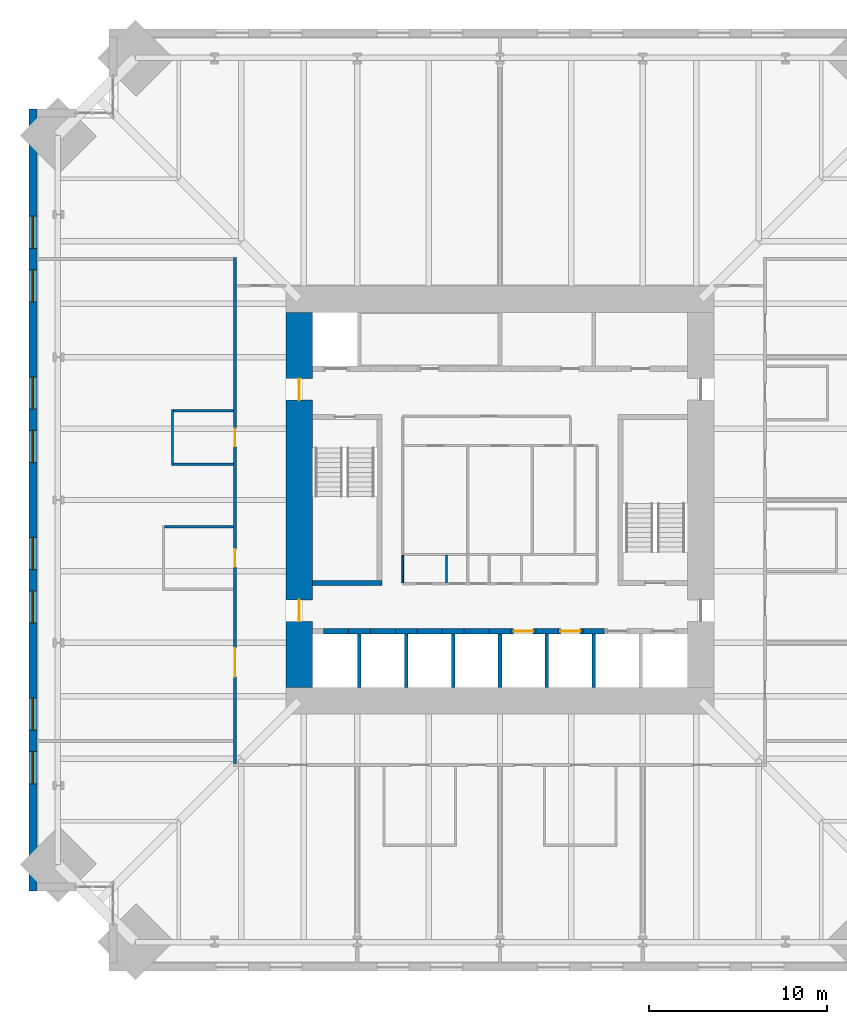
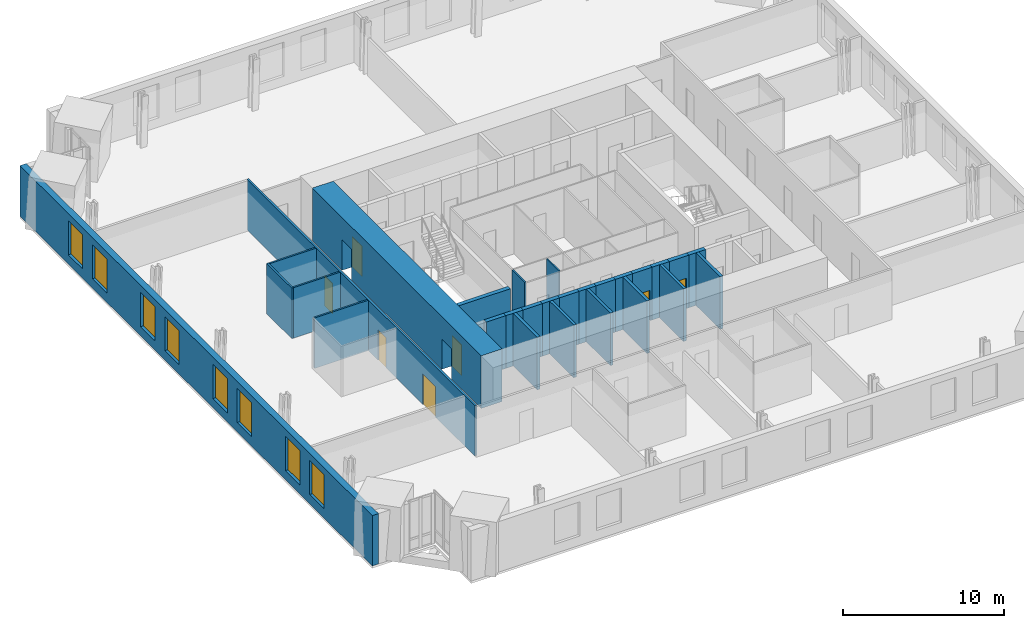
# One storey, part 14 of 18: 28 walls, 8 windows, 7 doors, 15 openings.
"""IFC4 building model written with IfcOpenShell, lengths in metres."""

from ifc_helpers import new_model, si_unit, direction, frame, frame_2d, origin, place, context, subcontext, project, spatial, rectangle, extrude, material, layer, layer_set, type_object, element, fill, save


model = new_model("IFC4")

# Units and contexts
model_context = context("Model", 3, precision=1e-05, world=origin(), true_north=direction((0.0, 1.0)))
body_context = subcontext(model_context, "Body", "Model", "MODEL_VIEW")
ifc_project = project(units=[si_unit("LENGTHUNIT", "METRE"), si_unit("AREAUNIT", "SQUARE_METRE"), si_unit("VOLUMEUNIT", "CUBIC_METRE"), si_unit("PLANEANGLEUNIT", "RADIAN"), si_unit("MASSUNIT", "GRAM", prefix="KILO")], contexts=[model_context])

# Site, building, storey
site_placement = place(None, origin())
site = spatial("IfcSite", under=ifc_project, at=site_placement, CompositionType="ELEMENT")
building_placement = place(site_placement, origin())
building = spatial("IfcBuilding", under=site, at=building_placement, Name="Peilmerk Tower", CompositionType="ELEMENT")
storey_placement = place(building_placement, frame((0.0, 0.0, 151.800048828125)))
storey = spatial("IfcBuildingStorey", under=building, at=storey_placement, Name="L31", CompositionType="ELEMENT", Elevation=151.800048828125)

# Wall, openings, windows
ifc_material_1 = material(Name="Precast concrete C45/55, board-marked finish", Category="concrete")
ifc_layer_1 = layer(ifc_material_1, 0.449951171875)
ifc_layer_set_1 = layer_set([ifc_layer_1], Name="Precast concrete C45/55, board-marked finish")
wall_type_1 = type_object("IfcWallType", Name="EW1 450 precast concrete facade wall, board-marked", PredefinedType="SOLIDWALL", material=ifc_layer_set_1)
wall_1_placement = place(storey_placement, frame((-26.175048828125, 21.89990234375, 0.0), z_axis=(0.0, 0.0, 1.0), x_axis=(0.0, -1.0, 0.0)))
wall_1 = element("IfcWall", 1, at=wall_1_placement, inside=storey, type_object=wall_type_1, Name="Facade wall W L31", PredefinedType="SOLIDWALL", context=body_context, shape_type="SweptSolid", body=[
    extrude(rectangle(XDim=43.7998046875, YDim=0.449951171875, at=frame_2d((21.89990234375, 0.0))), origin(), (0.0, 0.0, 1.0), 3.829833984375),
])
opening_1_placement = place(wall_1_placement, frame((6.0, 0.0, 0.699951171875)))
opening_1 = element("IfcOpeningElement", 2, at=opening_1_placement, cuts=wall_1, Name="Opening W1", PredefinedType="OPENING", context=body_context, shape_type="SweptSolid", body=[
    extrude(rectangle(XDim=1.800048828125, YDim=2.60009765625, at=frame_2d((0.89990234375, 1.300048828125))), frame((0.0, 0.23486328125, 0.0), z_axis=(0.0, -1.0, 0.0), x_axis=(1.0, 0.0, 0.0)), (0.0, 0.0, 1.0), 0.469970703125),
])
opening_2_placement = place(wall_1_placement, frame((9.0, 0.0, 0.699951171875)))
opening_2 = element("IfcOpeningElement", 3, at=opening_2_placement, cuts=wall_1, Name="Opening W1", PredefinedType="OPENING", context=body_context, shape_type="SweptSolid", body=[
    extrude(rectangle(XDim=1.800048828125, YDim=2.60009765625, at=frame_2d((0.89990234375, 1.300048828125))), frame((0.0, 0.23486328125, 0.0), z_axis=(0.0, -1.0, 0.0), x_axis=(1.0, 0.0, 0.0)), (0.0, 0.0, 1.0), 0.469970703125),
])
opening_3_placement = place(wall_1_placement, frame((15.0, 0.0, 0.699951171875)))
opening_3 = element("IfcOpeningElement", 4, at=opening_3_placement, cuts=wall_1, Name="Opening W1", PredefinedType="OPENING", context=body_context, shape_type="SweptSolid", body=[
    extrude(rectangle(XDim=1.800048828125, YDim=2.60009765625, at=frame_2d((0.89990234375, 1.300048828125))), frame((0.0, 0.23486328125, 0.0), z_axis=(0.0, -1.0, 0.0), x_axis=(1.0, 0.0, 0.0)), (0.0, 0.0, 1.0), 0.469970703125),
])
opening_4_placement = place(wall_1_placement, frame((18.0, 0.0, 0.699951171875)))
opening_4 = element("IfcOpeningElement", 5, at=opening_4_placement, cuts=wall_1, Name="Opening W1", PredefinedType="OPENING", context=body_context, shape_type="SweptSolid", body=[
    extrude(rectangle(XDim=1.800048828125, YDim=2.60009765625, at=frame_2d((0.89990234375, 1.300048828125))), frame((0.0, 0.23486328125, 0.0), z_axis=(0.0, -1.0, 0.0), x_axis=(1.0, 0.0, 0.0)), (0.0, 0.0, 1.0), 0.469970703125),
])
opening_5_placement = place(wall_1_placement, frame((24.0, 0.0, 0.699951171875)))
opening_5 = element("IfcOpeningElement", 6, at=opening_5_placement, cuts=wall_1, Name="Opening W1", PredefinedType="OPENING", context=body_context, shape_type="SweptSolid", body=[
    extrude(rectangle(XDim=1.800048828125, YDim=2.60009765625, at=frame_2d((0.89990234375, 1.300048828125))), frame((0.0, 0.23486328125, 0.0), z_axis=(0.0, -1.0, 0.0), x_axis=(1.0, 0.0, 0.0)), (0.0, 0.0, 1.0), 0.469970703125),
])
opening_6_placement = place(wall_1_placement, frame((27.0, 0.0, 0.699951171875)))
opening_6 = element("IfcOpeningElement", 7, at=opening_6_placement, cuts=wall_1, Name="Opening W1", PredefinedType="OPENING", context=body_context, shape_type="SweptSolid", body=[
    extrude(rectangle(XDim=1.800048828125, YDim=2.60009765625, at=frame_2d((0.89990234375, 1.300048828125))), frame((0.0, 0.23486328125, 0.0), z_axis=(0.0, -1.0, 0.0), x_axis=(1.0, 0.0, 0.0)), (0.0, 0.0, 1.0), 0.469970703125),
])
opening_7_placement = place(wall_1_placement, frame((33.0, 0.0, 0.699951171875)))
opening_7 = element("IfcOpeningElement", 8, at=opening_7_placement, cuts=wall_1, Name="Opening W1", PredefinedType="OPENING", context=body_context, shape_type="SweptSolid", body=[
    extrude(rectangle(XDim=1.800048828125, YDim=2.60009765625, at=frame_2d((0.89990234375, 1.300048828125))), frame((0.0, 0.23486328125, 0.0), z_axis=(0.0, -1.0, 0.0), x_axis=(1.0, 0.0, 0.0)), (0.0, 0.0, 1.0), 0.469970703125),
])
opening_8_placement = place(wall_1_placement, frame((36.0, 0.0, 0.699951171875)))
opening_8 = element("IfcOpeningElement", 9, at=opening_8_placement, cuts=wall_1, Name="Opening W1", PredefinedType="OPENING", context=body_context, shape_type="SweptSolid", body=[
    extrude(rectangle(XDim=1.800048828125, YDim=2.60009765625, at=frame_2d((0.89990234375, 1.300048828125))), frame((0.0, 0.23486328125, 0.0), z_axis=(0.0, -1.0, 0.0), x_axis=(1.0, 0.0, 0.0)), (0.0, 0.0, 1.0), 0.469970703125),
])
ifc_material_2 = material(Name="Aluminium frame, clear double glazing", Category="aluminium")
window_type = type_object("IfcWindowType", Name="W1 1800x2600 office window", PartitioningType="SINGLE_PANEL", PredefinedType="WINDOW", material=ifc_material_2)
window_1_placement = place(opening_1_placement, origin())
window_1 = element("IfcWindow", 10, at=window_1_placement, inside=storey, type_object=window_type, Name="Window W1 L31", OverallHeight=2.60009765625, OverallWidth=1.800048828125, PartitioningType="SINGLE_PANEL", PredefinedType="WINDOW", context=body_context, shape_type="SweptSolid", body=[
    extrude(rectangle(XDim=1.800048828125, YDim=2.60009765625, at=frame_2d((0.89990234375, 1.300048828125))), frame((0.0, 0.030029296875, 0.0), z_axis=(0.0, -1.0, 0.0), x_axis=(1.0, 0.0, 0.0)), (0.0, 0.0, 1.0), 0.06005859375),
])
fill(opening_1, window_1)
window_2_placement = place(opening_2_placement, origin())
window_2 = element("IfcWindow", 11, at=window_2_placement, inside=storey, type_object=window_type, Name="Window W1 L31", OverallHeight=2.60009765625, OverallWidth=1.800048828125, PartitioningType="SINGLE_PANEL", PredefinedType="WINDOW", context=body_context, shape_type="SweptSolid", body=[
    extrude(rectangle(XDim=1.800048828125, YDim=2.60009765625, at=frame_2d((0.89990234375, 1.300048828125))), frame((0.0, 0.030029296875, 0.0), z_axis=(0.0, -1.0, 0.0), x_axis=(1.0, 0.0, 0.0)), (0.0, 0.0, 1.0), 0.06005859375),
])
fill(opening_2, window_2)
window_3_placement = place(opening_3_placement, origin())
window_3 = element("IfcWindow", 12, at=window_3_placement, inside=storey, type_object=window_type, Name="Window W1 L31", OverallHeight=2.60009765625, OverallWidth=1.800048828125, PartitioningType="SINGLE_PANEL", PredefinedType="WINDOW", context=body_context, shape_type="SweptSolid", body=[
    extrude(rectangle(XDim=1.800048828125, YDim=2.60009765625, at=frame_2d((0.89990234375, 1.300048828125))), frame((0.0, 0.030029296875, 0.0), z_axis=(0.0, -1.0, 0.0), x_axis=(1.0, 0.0, 0.0)), (0.0, 0.0, 1.0), 0.06005859375),
])
fill(opening_3, window_3)
window_4_placement = place(opening_4_placement, origin())
window_4 = element("IfcWindow", 13, at=window_4_placement, inside=storey, type_object=window_type, Name="Window W1 L31", OverallHeight=2.60009765625, OverallWidth=1.800048828125, PartitioningType="SINGLE_PANEL", PredefinedType="WINDOW", context=body_context, shape_type="SweptSolid", body=[
    extrude(rectangle(XDim=1.800048828125, YDim=2.60009765625, at=frame_2d((0.89990234375, 1.300048828125))), frame((0.0, 0.030029296875, 0.0), z_axis=(0.0, -1.0, 0.0), x_axis=(1.0, 0.0, 0.0)), (0.0, 0.0, 1.0), 0.06005859375),
])
fill(opening_4, window_4)
window_5_placement = place(opening_5_placement, origin())
window_5 = element("IfcWindow", 14, at=window_5_placement, inside=storey, type_object=window_type, Name="Window W1 L31", OverallHeight=2.60009765625, OverallWidth=1.800048828125, PartitioningType="SINGLE_PANEL", PredefinedType="WINDOW", context=body_context, shape_type="SweptSolid", body=[
    extrude(rectangle(XDim=1.800048828125, YDim=2.60009765625, at=frame_2d((0.89990234375, 1.300048828125))), frame((0.0, 0.030029296875, 0.0), z_axis=(0.0, -1.0, 0.0), x_axis=(1.0, 0.0, 0.0)), (0.0, 0.0, 1.0), 0.06005859375),
])
fill(opening_5, window_5)
window_6_placement = place(opening_6_placement, origin())
window_6 = element("IfcWindow", 15, at=window_6_placement, inside=storey, type_object=window_type, Name="Window W1 L31", OverallHeight=2.60009765625, OverallWidth=1.800048828125, PartitioningType="SINGLE_PANEL", PredefinedType="WINDOW", context=body_context, shape_type="SweptSolid", body=[
    extrude(rectangle(XDim=1.800048828125, YDim=2.60009765625, at=frame_2d((0.89990234375, 1.300048828125))), frame((0.0, 0.030029296875, 0.0), z_axis=(0.0, -1.0, 0.0), x_axis=(1.0, 0.0, 0.0)), (0.0, 0.0, 1.0), 0.06005859375),
])
fill(opening_6, window_6)
window_7_placement = place(opening_7_placement, origin())
window_7 = element("IfcWindow", 16, at=window_7_placement, inside=storey, type_object=window_type, Name="Window W1 L31", OverallHeight=2.60009765625, OverallWidth=1.800048828125, PartitioningType="SINGLE_PANEL", PredefinedType="WINDOW", context=body_context, shape_type="SweptSolid", body=[
    extrude(rectangle(XDim=1.800048828125, YDim=2.60009765625, at=frame_2d((0.89990234375, 1.300048828125))), frame((0.0, 0.030029296875, 0.0), z_axis=(0.0, -1.0, 0.0), x_axis=(1.0, 0.0, 0.0)), (0.0, 0.0, 1.0), 0.06005859375),
])
fill(opening_7, window_7)
window_8_placement = place(opening_8_placement, origin())
window_8 = element("IfcWindow", 17, at=window_8_placement, inside=storey, type_object=window_type, Name="Window W1 L31", OverallHeight=2.60009765625, OverallWidth=1.800048828125, PartitioningType="SINGLE_PANEL", PredefinedType="WINDOW", context=body_context, shape_type="SweptSolid", body=[
    extrude(rectangle(XDim=1.800048828125, YDim=2.60009765625, at=frame_2d((0.89990234375, 1.300048828125))), frame((0.0, 0.030029296875, 0.0), z_axis=(0.0, -1.0, 0.0), x_axis=(1.0, 0.0, 0.0)), (0.0, 0.0, 1.0), 0.06005859375),
])
fill(opening_8, window_8)

# Wall, openings, doors
ifc_material_3 = material(Name="Calcium silicate block", Category="masonry")
ifc_layer_2 = layer(ifc_material_3, 0.14990234375)
ifc_layer_set_2 = layer_set([ifc_layer_2], Name="Calcium silicate block")
wall_type_2 = type_object("IfcWallType", Name="IW1 150 corridor partition, EI 60", PredefinedType="PARTITIONING", material=ifc_layer_set_2)
wall_2_placement = place(storey_placement, frame((-14.85009765625, 13.574951171875, 0.0), z_axis=(0.0, 0.0, 1.0), x_axis=(0.0, -1.0, 0.0)))
wall_2 = element("IfcWall", 18, at=wall_2_placement, inside=storey, type_object=wall_type_2, Name="Corridor wall W L31", PredefinedType="PARTITIONING", context=body_context, shape_type="SweptSolid", body=[
    extrude(rectangle(XDim=28.349853515625, YDim=0.14990234375, at=frame_2d((14.1748046875, 0.0))), origin(), (0.0, 0.0, 1.0), 3.829833984375),
])
opening_9_placement = place(wall_2_placement, frame((21.875, 0.0, 0.0)))
opening_9 = element("IfcOpeningElement", 19, at=opening_9_placement, cuts=wall_2, Name="Opening D9", PredefinedType="OPENING", context=body_context, shape_type="SweptSolid", body=[
    extrude(rectangle(XDim=1.60009765625, YDim=2.300048828125, at=frame_2d((0.800048828125, 1.14990234375))), frame((0.0, 0.0849609375, 0.0), z_axis=(0.0, -1.0, 0.0), x_axis=(1.0, 0.0, 0.0)), (0.0, 0.0, 1.0), 0.169921875),
])
opening_10_placement = place(wall_2_placement, frame((16.324951171875, 0.0, 0.0)))
opening_10 = element("IfcOpeningElement", 20, at=opening_10_placement, cuts=wall_2, Name="Opening D1", PredefinedType="OPENING", context=body_context, shape_type="SweptSolid", body=[
    extrude(rectangle(XDim=1.0, YDim=2.300048828125, at=frame_2d((0.5, 1.14990234375))), frame((0.0, 0.0849609375, 0.0), z_axis=(0.0, -1.0, 0.0), x_axis=(1.0, 0.0, 0.0)), (0.0, 0.0, 1.0), 0.169921875),
])
opening_11_placement = place(wall_2_placement, frame((9.574951171875, 0.0, 0.0)))
opening_11 = element("IfcOpeningElement", 21, at=opening_11_placement, cuts=wall_2, Name="Opening D1", PredefinedType="OPENING", context=body_context, shape_type="SweptSolid", body=[
    extrude(rectangle(XDim=1.0, YDim=2.300048828125, at=frame_2d((0.5, 1.14990234375))), frame((0.0, 0.0849609375, 0.0), z_axis=(0.0, -1.0, 0.0), x_axis=(1.0, 0.0, 0.0)), (0.0, 0.0, 1.0), 0.169921875),
])
ifc_material_4 = material(Name="Timber door in steel frame", Category="steel")
door_type_1 = type_object("IfcDoorType", Name="D1 1000x2300 room door, EI2 30", OperationType="SINGLE_SWING_LEFT", PredefinedType="DOOR", material=ifc_material_4)
door_1_placement = place(opening_10_placement, frame((1.0, 0.0, 0.0), z_axis=(0.0, 0.0, 1.0), x_axis=(-1.0, 0.0, 0.0)))
door_1 = element("IfcDoor", 22, at=door_1_placement, inside=storey, type_object=door_type_1, Name="Door Pantry L31", OperationType="SINGLE_SWING_LEFT", OverallHeight=2.300048828125, OverallWidth=1.0, PredefinedType="DOOR", context=body_context, shape_type="SweptSolid", body=[
    extrude(rectangle(XDim=1.0, YDim=2.300048828125, at=frame_2d((0.5, 1.14990234375))), frame((0.0, 0.02490234375, 0.0), z_axis=(0.0, -1.0, 0.0), x_axis=(1.0, 0.0, 0.0)), (0.0, 0.0, 1.0), 0.050048828125),
])
fill(opening_10, door_1)
door_2_placement = place(opening_11_placement, frame((1.0, 0.0, 0.0), z_axis=(0.0, 0.0, 1.0), x_axis=(-1.0, 0.0, 0.0)))
door_2 = element("IfcDoor", 23, at=door_2_placement, inside=storey, type_object=door_type_1, Name="Door Focus room L31", OperationType="SINGLE_SWING_LEFT", OverallHeight=2.300048828125, OverallWidth=1.0, PredefinedType="DOOR", context=body_context, shape_type="SweptSolid", body=[
    extrude(rectangle(XDim=1.0, YDim=2.300048828125, at=frame_2d((0.5, 1.14990234375))), frame((0.0, 0.02490234375, 0.0), z_axis=(0.0, -1.0, 0.0), x_axis=(1.0, 0.0, 0.0)), (0.0, 0.0, 1.0), 0.050048828125),
])
fill(opening_11, door_2)
ifc_material_5 = material(Name="Glazed timber door in steel frame", Category="steel")
door_type_2 = type_object("IfcDoorType", Name="D9 1600x2300 glazed double door, EI2 30", OperationType="DOUBLE_DOOR_SINGLE_SWING", PredefinedType="DOOR", material=ifc_material_5)
door_3_placement = place(opening_9_placement, frame((1.60009765625, 0.0, 0.0), z_axis=(0.0, 0.0, 1.0), x_axis=(-1.0, 0.0, 0.0)))
door_3 = element("IfcDoor", 24, at=door_3_placement, inside=storey, type_object=door_type_2, Name="Door Open workspace L31", OperationType="DOUBLE_DOOR_SINGLE_SWING", OverallHeight=2.300048828125, OverallWidth=1.60009765625, PredefinedType="DOOR", context=body_context, shape_type="SweptSolid", body=[
    extrude(rectangle(XDim=1.60009765625, YDim=2.300048828125, at=frame_2d((0.800048828125, 1.14990234375))), frame((0.0, 0.02490234375, 0.0), z_axis=(0.0, -1.0, 0.0), x_axis=(1.0, 0.0, 0.0)), (0.0, 0.0, 1.0), 0.050048828125),
])
fill(opening_9, door_3)

# Walls
ifc_material_6 = material(Name="Concrete C35/45", Category="concrete")
ifc_layer_3 = layer(ifc_material_6, 0.300048828125)
ifc_layer_set_3 = layer_set([ifc_layer_3], Name="Concrete C35/45")
wall_type_3 = type_object("IfcWallType", Name="IW3 300 concrete stair enclosure wall, EI 120", PredefinedType="SOLIDWALL", material=ifc_layer_set_3)
wall_3_placement = place(storey_placement, frame((-6.60009765625, -4.64990234375, 0.0), z_axis=(0.0, 0.0, 1.0), x_axis=(-1.0, 0.0, 0.0)))
element("IfcWall", 25, at=wall_3_placement, inside=storey, type_object=wall_type_3, Name="Stair 1 enclosure L31", PredefinedType="SOLIDWALL", context=body_context, shape_type="SweptSolid", body=[
    extrude(rectangle(XDim=3.89990234375, YDim=0.300048828125, at=frame_2d((1.949951171875, 0.0))), origin(), (0.0, 0.0, 1.0), 3.75),
])
ifc_material_7 = material(Name="Calcium silicate board on steel studs", Category="steel")
ifc_layer_4 = layer(ifc_material_7, 0.10009765625)
ifc_layer_set_4 = layer_set([ifc_layer_4], Name="Calcium silicate board on steel studs")
wall_type_4 = type_object("IfcWallType", Name="IW5 100 riser enclosure wall, EI 60", PredefinedType="PARTITIONING", material=ifc_layer_set_4)
for number, where, z_axis, x_axis, name in (
    (26, (-5.449951171875, -3.10009765625, 0.0), (0.0, 0.0, 1.0), (0.0, -1.0, 0.0), "Riser wall L31"),
    (27, (-3.0, -3.10009765625, 0.0), (0.0, 0.0, 1.0), (0.0, -1.0, 0.0), "Riser wall L31"),
):
    element("IfcWall", number, at=place(storey_placement, frame(where, z_axis=z_axis, x_axis=x_axis)), inside=storey, type_object=wall_type_4, Name=name, PredefinedType="PARTITIONING", context=body_context, shape_type="SweptSolid", body=[
        extrude(rectangle(XDim=1.5498046875, YDim=0.10009765625, at=frame_2d((0.77490234375, 0.0))), origin(), (0.0, 0.0, 1.0), 3.75),
    ])
ifc_material_8 = material(Name="Plasterboard on steel studs, double boarded with mineral wool", Category="steel")
ifc_layer_5 = layer(ifc_material_8, 0.125)
ifc_layer_set_5 = layer_set([ifc_layer_5], Name="Plasterboard on steel studs, double boarded with mineral wool")
wall_type_5 = type_object("IfcWallType", Name="IW7 125 acoustic partition, EI 30", PredefinedType="PARTITIONING", material=ifc_layer_set_5)
wall_4_placement = place(storey_placement, frame((-14.925048828125, -1.5, 0.0), z_axis=(0.0, 0.0, 1.0), x_axis=(-1.0, 0.0, 0.0)))
element("IfcWall", 28, at=wall_4_placement, inside=storey, type_object=wall_type_5, Name="Acoustic partition Pantry L31", PredefinedType="PARTITIONING", context=body_context, shape_type="SweptSolid", body=[
    extrude(rectangle(XDim=3.862548828125, YDim=0.125, at=frame_2d((1.93115234375, 0.0))), origin(), (0.0, 0.0, 1.0), 3.829833984375),
])
wall_5_placement = place(storey_placement, frame((-18.35009765625, 1.9375, 0.0), z_axis=(0.0, 0.0, 1.0), x_axis=(0.0, 1.0, 0.0)))
element("IfcWall", 29, at=wall_5_placement, inside=storey, type_object=wall_type_5, Name="Acoustic partition Focus room L31", PredefinedType="PARTITIONING", context=body_context, shape_type="SweptSolid", body=[
    extrude(rectangle(XDim=3.125, YDim=0.125, at=frame_2d((1.5625, 0.0))), origin(), (0.0, 0.0, 1.0), 3.829833984375),
])
for number, where, z_axis, x_axis, name in (
    (30, (-14.925048828125, 2.0, 0.0), (0.0, 0.0, 1.0), (-1.0, 0.0, 0.0), "Acoustic partition Focus room L31"),
    (31, (-14.925048828125, 5.0, 0.0), (0.0, 0.0, 1.0), (-1.0, 0.0, 0.0), "Acoustic partition Focus room L31"),
):
    element("IfcWall", number, at=place(storey_placement, frame(where, z_axis=z_axis, x_axis=x_axis)), inside=storey, type_object=wall_type_5, Name=name, PredefinedType="PARTITIONING", context=body_context, shape_type="SweptSolid", body=[
        extrude(rectangle(XDim=3.362548828125, YDim=0.125, at=frame_2d((1.68115234375, 0.0))), origin(), (0.0, 0.0, 1.0), 3.829833984375),
    ])
ifc_layer_6 = layer(ifc_material_3, 0.199951171875)
ifc_layer_set_6 = layer_set([ifc_layer_6], Name="Calcium silicate block")
wall_type_6 = type_object("IfcWallType", Name="SH1 200 shaft dividing wall, EI 120", PredefinedType="PARTITIONING", material=ifc_layer_set_6)
for number, where, z_axis, x_axis, name in (
    (32, (-7.875, -10.5, 0.0), (0.0, 0.0, 1.0), (0.0, 1.0, 0.0), "Shaft wall S C4 L31"),
    (33, (-5.25, -10.5, 0.0), (0.0, 0.0, 1.0), (0.0, 1.0, 0.0), "Shaft wall S C3 L31"),
    (34, (-2.625, -10.5, 0.0), (0.0, 0.0, 1.0), (0.0, 1.0, 0.0), "Shaft wall S C2 L31"),
    (35, (0.0, -10.5, 0.0), (0.0, 0.0, 1.0), (0.0, 1.0, 0.0), "Shaft wall S C1 L31"),
    (36, (2.625, -10.5, 0.0), (0.0, 0.0, 1.0), (0.0, 1.0, 0.0), "Shaft wall S B3 L31"),
    (37, (5.25, -10.5, 0.0), (0.0, 0.0, 1.0), (0.0, 1.0, 0.0), "Shaft wall S B2 L31"),
):
    element("IfcWall", number, at=place(storey_placement, frame(where, z_axis=z_axis, x_axis=x_axis)), inside=storey, type_object=wall_type_6, Name=name, PredefinedType="PARTITIONING", context=body_context, shape_type="SweptSolid", body=[
        extrude(rectangle(XDim=3.0, YDim=0.199951171875, at=frame_2d((1.5, 0.0))), origin(), (0.0, 0.0, 1.0), 4.0),
    ])
ifc_layer_7 = layer(ifc_material_3, 0.300048828125)
ifc_layer_set_7 = layer_set([ifc_layer_7], Name="Calcium silicate block")
wall_type_7 = type_object("IfcWallType", Name="SH2 300 lift landing door panel, EI 120", PredefinedType="PARTITIONING", material=ifc_layer_set_7)
for number, where, z_axis, x_axis, name in (
    (38, (-9.887451171875, -7.35009765625, 0.0), (0.0, 0.0, 1.0), (1.0, 0.0, 0.0), "Lift door panel S C4 L31"),
    (39, (-7.262451171875, -7.35009765625, 0.0), (0.0, 0.0, 1.0), (1.0, 0.0, 0.0), "Lift door panel S C3 L31"),
    (40, (-4.637451171875, -7.35009765625, 0.0), (0.0, 0.0, 1.0), (1.0, 0.0, 0.0), "Lift door panel S C2 L31"),
    (41, (-2.012451171875, -7.35009765625, 0.0), (0.0, 0.0, 1.0), (1.0, 0.0, 0.0), "Lift door panel S C1 L31"),
):
    element("IfcWall", number, at=place(storey_placement, frame(where, z_axis=z_axis, x_axis=x_axis)), inside=storey, type_object=wall_type_7, Name=name, PredefinedType="PARTITIONING", context=body_context, shape_type="SweptSolid", body=[
        extrude(rectangle(XDim=1.39990234375, YDim=0.300048828125, at=frame_2d((0.699951171875, 0.0))), origin(), (0.0, 0.0, 1.0), 4.0),
    ])

# Wall, opening, door
wall_6_placement = place(storey_placement, frame((0.612548828125, -7.35009765625, 0.0), z_axis=(0.0, 0.0, 1.0), x_axis=(1.0, 0.0, 0.0)))
wall_6 = element("IfcWall", 42, at=wall_6_placement, inside=storey, type_object=wall_type_7, Name="Lift door panel S B3 L31", PredefinedType="PARTITIONING", context=body_context, shape_type="SweptSolid", body=[
    extrude(rectangle(XDim=1.39990234375, YDim=0.300048828125, at=frame_2d((0.699951171875, 0.0))), origin(), (0.0, 0.0, 1.0), 4.0),
])
opening_12_placement = place(wall_6_placement, frame((0.14990234375, 0.0, 0.0)))
opening_12 = element("IfcOpeningElement", 43, at=opening_12_placement, cuts=wall_6, Name="Opening LD1", PredefinedType="OPENING", context=body_context, shape_type="SweptSolid", body=[
    extrude(rectangle(XDim=1.10009765625, YDim=2.300048828125, at=frame_2d((0.550048828125, 1.14990234375))), frame((0.0, 0.159912109375, 0.0), z_axis=(0.0, -1.0, 0.0), x_axis=(1.0, 0.0, 0.0)), (0.0, 0.0, 1.0), 0.320068359375),
])
ifc_material_9 = material(Name="Stainless steel landing door", Category="steel")
door_type_3 = type_object("IfcDoorType", Name="LD1 1100x2300 lift landing door, sliding, EI2 60", OperationType="SLIDING_TO_LEFT", PredefinedType="DOOR", material=ifc_material_9)
door_4_placement = place(opening_12_placement, origin())
door_4 = element("IfcDoor", 44, at=door_4_placement, inside=storey, type_object=door_type_3, Name="Lift landing door B3 L31", OperationType="SLIDING_TO_LEFT", OverallHeight=2.300048828125, OverallWidth=1.10009765625, PredefinedType="DOOR", context=body_context, shape_type="SweptSolid", body=[
    extrude(rectangle(XDim=1.10009765625, YDim=2.300048828125, at=frame_2d((0.550048828125, 1.14990234375))), frame((0.0, 0.02490234375, 0.0), z_axis=(0.0, -1.0, 0.0), x_axis=(1.0, 0.0, 0.0)), (0.0, 0.0, 1.0), 0.050048828125),
])
fill(opening_12, door_4)

wall_7_placement = place(storey_placement, frame((3.237548828125, -7.35009765625, 0.0), z_axis=(0.0, 0.0, 1.0), x_axis=(1.0, 0.0, 0.0)))
wall_7 = element("IfcWall", 45, at=wall_7_placement, inside=storey, type_object=wall_type_7, Name="Lift door panel S B2 L31", PredefinedType="PARTITIONING", context=body_context, shape_type="SweptSolid", body=[
    extrude(rectangle(XDim=1.39990234375, YDim=0.300048828125, at=frame_2d((0.699951171875, 0.0))), origin(), (0.0, 0.0, 1.0), 4.0),
])
opening_13_placement = place(wall_7_placement, frame((0.14990234375, 0.0, 0.0)))
opening_13 = element("IfcOpeningElement", 46, at=opening_13_placement, cuts=wall_7, Name="Opening LD1", PredefinedType="OPENING", context=body_context, shape_type="SweptSolid", body=[
    extrude(rectangle(XDim=1.10009765625, YDim=2.300048828125, at=frame_2d((0.550048828125, 1.14990234375))), frame((0.0, 0.159912109375, 0.0), z_axis=(0.0, -1.0, 0.0), x_axis=(1.0, 0.0, 0.0)), (0.0, 0.0, 1.0), 0.320068359375),
])
door_5_placement = place(opening_13_placement, origin())
door_5 = element("IfcDoor", 47, at=door_5_placement, inside=storey, type_object=door_type_3, Name="Lift landing door B2 L31", OperationType="SLIDING_TO_LEFT", OverallHeight=2.300048828125, OverallWidth=1.10009765625, PredefinedType="DOOR", context=body_context, shape_type="SweptSolid", body=[
    extrude(rectangle(XDim=1.10009765625, YDim=2.300048828125, at=frame_2d((0.550048828125, 1.14990234375))), frame((0.0, 0.02490234375, 0.0), z_axis=(0.0, -1.0, 0.0), x_axis=(1.0, 0.0, 0.0)), (0.0, 0.0, 1.0), 0.050048828125),
])
fill(opening_13, door_5)

# Wall, openings, doors
ifc_material_10 = material(Name="Concrete C55/67", Category="concrete")
ifc_layer_8 = layer(ifc_material_10, 1.5)
ifc_layer_set_8 = layer_set([ifc_layer_8], Name="Concrete C55/67")
wall_type_8 = type_object("IfcWallType", Name="SW1 1500 core wall", PredefinedType="SHEAR", material=ifc_layer_set_8)
wall_8_placement = place(storey_placement, frame((-11.25, -10.5, 0.0), z_axis=(0.0, 0.0, 1.0), x_axis=(0.0, 1.0, 0.0)))
wall_8 = element("IfcWall", 48, at=wall_8_placement, inside=storey, type_object=wall_type_8, Name="Core wall W L31", PredefinedType="SHEAR", context=body_context, shape_type="SweptSolid", body=[
    extrude(rectangle(XDim=21.0, YDim=1.5, at=frame_2d((10.5, 0.0))), origin(), (0.0, 0.0, 1.0), 4.0),
])
opening_14_placement = place(wall_8_placement, frame((16.10009765625, 0.0, 0.0)))
opening_14 = element("IfcOpeningElement", 49, at=opening_14_placement, cuts=wall_8, Name="Opening D3", PredefinedType="OPENING", context=body_context, shape_type="SweptSolid", body=[
    extrude(rectangle(XDim=1.199951171875, YDim=2.300048828125, at=frame_2d((0.60009765625, 1.14990234375))), frame((0.0, 0.760009765625, 0.0), z_axis=(0.0, -1.0, 0.0), x_axis=(1.0, 0.0, 0.0)), (0.0, 0.0, 1.0), 1.52001953125),
])
opening_15_placement = place(wall_8_placement, frame((3.699951171875, 0.0, 0.0)))
opening_15 = element("IfcOpeningElement", 50, at=opening_15_placement, cuts=wall_8, Name="Opening D3", PredefinedType="OPENING", context=body_context, shape_type="SweptSolid", body=[
    extrude(rectangle(XDim=1.199951171875, YDim=2.300048828125, at=frame_2d((0.60009765625, 1.14990234375))), frame((0.0, 0.760009765625, 0.0), z_axis=(0.0, -1.0, 0.0), x_axis=(1.0, 0.0, 0.0)), (0.0, 0.0, 1.0), 1.52001953125),
])
ifc_material_11 = material(Name="Steel door in steel frame", Category="steel")
door_type_4 = type_object("IfcDoorType", Name="D3 1200x2300 core door, EI2 60", OperationType="SINGLE_SWING_LEFT", PredefinedType="DOOR", material=ifc_material_11)
door_6_placement = place(opening_14_placement, frame((1.199951171875, 0.0, 0.0), z_axis=(0.0, 0.0, 1.0), x_axis=(-1.0, 0.0, 0.0)))
door_6 = element("IfcDoor", 51, at=door_6_placement, inside=storey, type_object=door_type_4, Name="Core door L31", OperationType="SINGLE_SWING_LEFT", OverallHeight=2.300048828125, OverallWidth=1.199951171875, PredefinedType="DOOR", context=body_context, shape_type="SweptSolid", body=[
    extrude(rectangle(XDim=1.199951171875, YDim=2.300048828125, at=frame_2d((0.60009765625, 1.14990234375))), frame((0.0, 0.02490234375, 0.0), z_axis=(0.0, -1.0, 0.0), x_axis=(1.0, 0.0, 0.0)), (0.0, 0.0, 1.0), 0.050048828125),
])
fill(opening_14, door_6)
door_7_placement = place(opening_15_placement, frame((1.199951171875, 0.0, 0.0), z_axis=(0.0, 0.0, 1.0), x_axis=(-1.0, 0.0, 0.0)))
door_7 = element("IfcDoor", 52, at=door_7_placement, inside=storey, type_object=door_type_4, Name="Core door L31", OperationType="SINGLE_SWING_LEFT", OverallHeight=2.300048828125, OverallWidth=1.199951171875, PredefinedType="DOOR", context=body_context, shape_type="SweptSolid", body=[
    extrude(rectangle(XDim=1.199951171875, YDim=2.300048828125, at=frame_2d((0.60009765625, 1.14990234375))), frame((0.0, 0.02490234375, 0.0), z_axis=(0.0, -1.0, 0.0), x_axis=(1.0, 0.0, 0.0)), (0.0, 0.0, 1.0), 0.050048828125),
])
fill(opening_15, door_7)

# Walls
ifc_layer_9 = layer(ifc_material_10, 0.300048828125)
ifc_layer_set_9 = layer_set([ifc_layer_9], Name="Concrete C55/67")
wall_type_9 = type_object("IfcWallType", Name="SW2 300 lift bank pier", PredefinedType="SHEAR", material=ifc_layer_set_9)
for number, where, z_axis, x_axis, name in (
    (53, (-8.487548828125, -7.35009765625, 0.0), (0.0, 0.0, 1.0), (1.0, 0.0, 0.0), "Lift bank pier S L31"),
    (54, (-5.862548828125, -7.35009765625, 0.0), (0.0, 0.0, 1.0), (1.0, 0.0, 0.0), "Lift bank pier S L31"),
    (55, (-3.237548828125, -7.35009765625, 0.0), (0.0, 0.0, 1.0), (1.0, 0.0, 0.0), "Lift bank pier S L31"),
    (56, (-0.612548828125, -7.35009765625, 0.0), (0.0, 0.0, 1.0), (1.0, 0.0, 0.0), "Lift bank pier S L31"),
    (57, (2.012451171875, -7.35009765625, 0.0), (0.0, 0.0, 1.0), (1.0, 0.0, 0.0), "Lift bank pier S L31"),
    (58, (4.637451171875, -7.35009765625, 0.0), (0.0, 0.0, 1.0), (1.0, 0.0, 0.0), "Lift bank pier S L31"),
):
    element("IfcWall", number, at=place(storey_placement, frame(where, z_axis=z_axis, x_axis=x_axis)), inside=storey, type_object=wall_type_9, Name=name, PredefinedType="SHEAR", context=body_context, shape_type="SweptSolid", body=[
        extrude(rectangle(XDim=1.22509765625, YDim=0.300048828125, at=frame_2d((0.612548828125, 0.0))), origin(), (0.0, 0.0, 1.0), 4.0),
    ])

save(model, "model.ifc")
